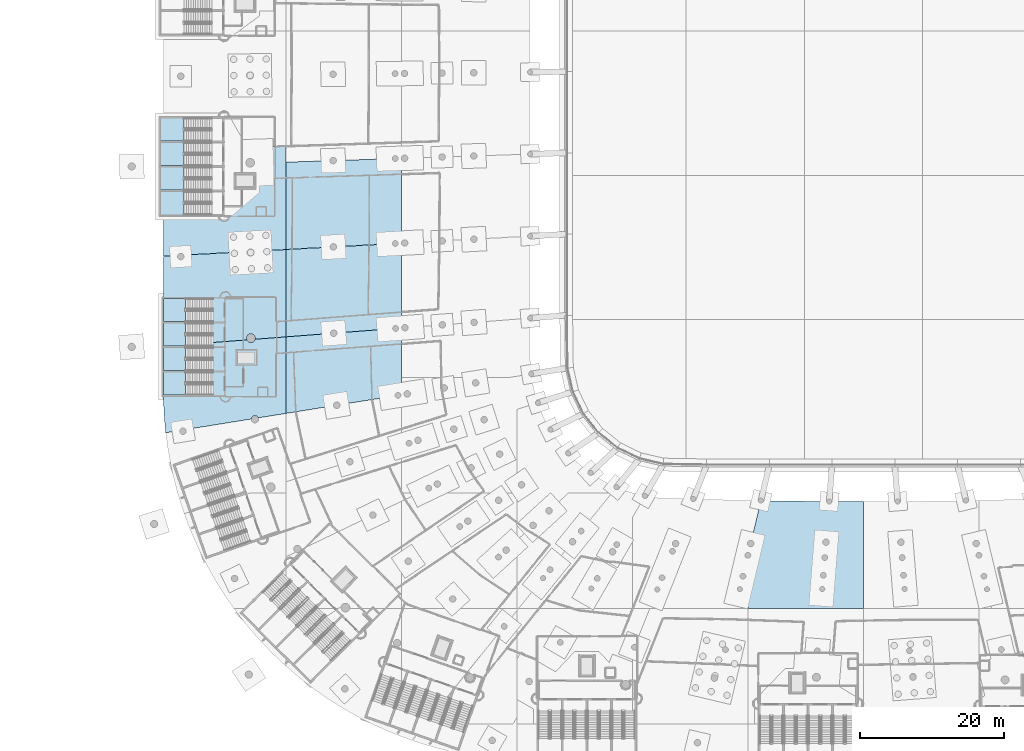
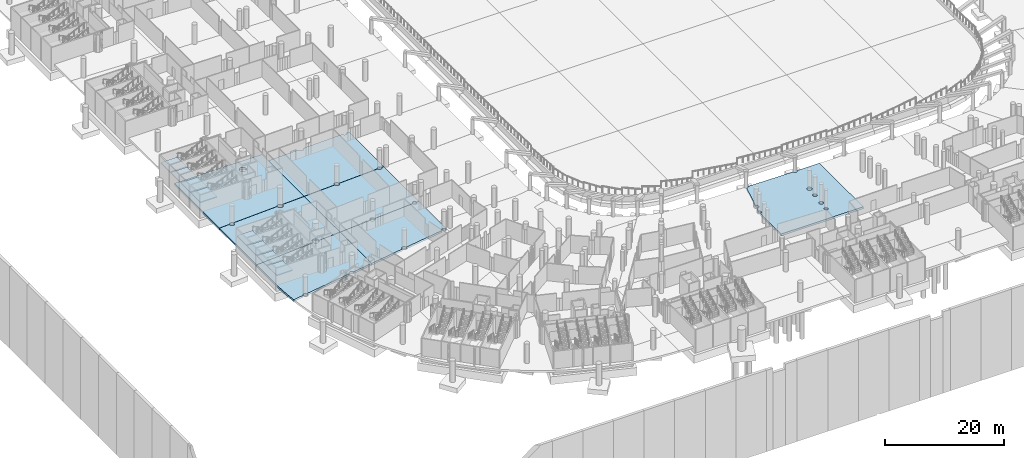
# One storey, part 17 of 142: 15 slabs, 8 elements without a shape of their own.
"""IFC4 building model written with IfcOpenShell, lengths in metres."""

from ifc_helpers import new_model, si_unit, direction, frame, origin, place, context, subcontext, project, spatial, polyline, outline, extrude, material, layer, layer_set, type_object, element, aggregate, save


model = new_model("IFC4")

# Units and contexts
model_context = context("Model", 3, precision=1e-05, world=origin(), true_north=direction((0.0, 1.0)))
body_context = subcontext(model_context, "Body", "Model", "MODEL_VIEW")
ifc_project = project(units=[si_unit("LENGTHUNIT", "METRE"), si_unit("AREAUNIT", "SQUARE_METRE"), si_unit("VOLUMEUNIT", "CUBIC_METRE"), si_unit("PLANEANGLEUNIT", "RADIAN"), si_unit("MASSUNIT", "GRAM", prefix="KILO")], contexts=[model_context])

# Site, building, storey
site_placement = place(None, origin())
site = spatial("IfcSite", under=ifc_project, at=site_placement, CompositionType="ELEMENT")
building_placement = place(site_placement, origin())
building = spatial("IfcBuilding", under=site, at=building_placement, Name="Meseta Stadium", CompositionType="ELEMENT")
storey_placement = place(building_placement, frame((0.0, 0.0, -4.0)))
storey = spatial("IfcBuildingStorey", under=building, at=storey_placement, Name="B1", CompositionType="ELEMENT", Elevation=-4.0)

# Slabs
ifc_material_1 = material(Name="Concrete C30/37", Category="concrete")
ifc_layer_1 = layer(ifc_material_1, 0.39990234375)
ifc_layer_set_1 = layer_set([ifc_layer_1], Name="Base slab 400")
slab_type_1 = type_object("IfcSlabType", Name="Base slab 400", PredefinedType="BASESLAB", material=ifc_layer_set_1)
slab_1_placement = place(storey_placement, frame((0.0, 0.0, -0.39990234375)))
element("IfcSlab", 1, at=slab_1_placement, inside=storey, type_object=slab_type_1, Name="Base slab B1 sector 28 panel 02", PredefinedType="BASESLAB", context=body_context, shape_type="SweptSolid", body=[
    extrude(outline(polyline([(-84.458740234375, -30.49755859375), (-80.0, -30.253173828125), (-80.0, -16.0), (-97.00048828125, -16.0), (-97.00146484375, -31.185302734375), (-95.017578125, -31.076416015625), (-94.97607421875, -30.998779296875), (-94.919677734375, -30.930419921875), (-94.851318359375, -30.8740234375), (-94.77294921875, -30.832275390625), (-94.688232421875, -30.806396484375), (-94.60009765625, -30.7978515625), (-94.51171875, -30.806396484375), (-94.427001953125, -30.832275390625), (-94.348876953125, -30.8740234375), (-94.2802734375, -30.930419921875), (-94.22412109375, -30.998779296875), (-94.206298828125, -31.031982421875), (-85.40771484375, -30.549560546875), (-85.389404296875, -30.489501953125), (-85.343017578125, -30.402587890625), (-85.280517578125, -30.326416015625), (-85.20458984375, -30.263916015625), (-85.11767578125, -30.217529296875), (-85.023193359375, -30.18896484375), (-84.92529296875, -30.17919921875), (-84.827392578125, -30.18896484375), (-84.733154296875, -30.217529296875), (-84.646240234375, -30.263916015625), (-84.570068359375, -30.326416015625), (-84.507568359375, -30.402587890625), (-84.461181640625, -30.489501953125), (-84.458740234375, -30.49755859375)]), holes=[polyline([(-85.53564453125, -18.474365234375), (-85.56982421875, -18.361083984375), (-85.58154296875, -18.24365234375), (-85.56982421875, -18.1259765625), (-85.53564453125, -18.012939453125), (-85.47998046875, -17.90869140625), (-85.40478515625, -17.8173828125), (-85.313720703125, -17.7421875), (-85.209228515625, -17.6865234375), (-85.09619140625, -17.65234375), (-84.978515625, -17.640625), (-84.861083984375, -17.65234375), (-84.747802734375, -17.6865234375), (-84.643798828125, -17.7421875), (-84.55224609375, -17.8173828125), (-84.477294921875, -17.90869140625), (-84.421630859375, -18.012939453125), (-84.38720703125, -18.1259765625), (-84.375732421875, -18.24365234375), (-84.38720703125, -18.361083984375), (-84.421630859375, -18.474365234375), (-84.477294921875, -18.57861328125), (-84.55224609375, -18.669921875), (-84.643798828125, -18.744873046875), (-84.747802734375, -18.800537109375), (-84.861083984375, -18.8349609375), (-84.978515625, -18.846435546875), (-85.09619140625, -18.8349609375), (-85.209228515625, -18.800537109375), (-85.313720703125, -18.744873046875), (-85.40478515625, -18.669921875), (-85.47998046875, -18.57861328125), (-85.53564453125, -18.474365234375)])]), origin(), (0.0, 0.0, 1.0), 0.39990234375),
])
slab_2_placement = place(storey_placement, frame((0.0, 0.0, -0.39990234375)))
element("IfcSlab", 2, at=slab_2_placement, inside=storey, type_object=slab_type_1, Name="Base slab B1 sector 28 panel 12", PredefinedType="BASESLAB", context=body_context, shape_type="SweptSolid", body=[
    extrude(outline(polyline([(-64.018310546875, -29.3623046875), (-64.009521484375, -29.27392578125), (-64.0, -29.2421875), (-64.0, -17.801513671875), (-64.005615234375, -17.791015625), (-64.03125, -17.706298828125), (-64.03857421875, -17.6328125), (-64.486328125, -17.647705078125), (-64.485107421875, -17.660888671875), (-64.492919921875, -17.7392578125), (-64.515625, -17.814697265625), (-64.552978515625, -17.884033203125), (-64.602783203125, -17.945068359375), (-64.663818359375, -17.9951171875), (-64.7333984375, -18.031982421875), (-64.80859375, -18.054931640625), (-64.88720703125, -18.062744140625), (-64.965576171875, -18.054931640625), (-65.041015625, -18.031982421875), (-65.1103515625, -17.9951171875), (-65.17138671875, -17.945068359375), (-65.22119140625, -17.884033203125), (-65.25830078125, -17.814697265625), (-65.28125, -17.7392578125), (-65.28759765625, -17.673828125), (-73.03173828125, -17.9287109375), (-73.0302734375, -17.943603515625), (-73.038818359375, -18.03173828125), (-73.064697265625, -18.116455078125), (-73.1064453125, -18.194580078125), (-73.16259765625, -18.26318359375), (-73.231201171875, -18.319580078125), (-73.309326171875, -18.361328125), (-73.394287109375, -18.386962890625), (-73.482421875, -18.395751953125), (-73.570556640625, -18.386962890625), (-73.655517578125, -18.361328125), (-73.733642578125, -18.319580078125), (-73.80224609375, -18.26318359375), (-73.8583984375, -18.194580078125), (-73.900146484375, -18.116455078125), (-73.92578125, -18.03173828125), (-73.93310546875, -17.958251953125), (-80.0, -18.157958984375), (-80.0, -30.253173828125), (-73.902099609375, -29.918701171875), (-73.9033203125, -29.904052734375), (-73.894775390625, -29.81591796875), (-73.868896484375, -29.731201171875), (-73.8271484375, -29.65283203125), (-73.77099609375, -29.58447265625), (-73.702392578125, -29.5283203125), (-73.624267578125, -29.486328125), (-73.53955078125, -29.460693359375), (-73.451416015625, -29.451904296875), (-73.363037109375, -29.460693359375), (-73.2783203125, -29.486328125), (-73.2001953125, -29.5283203125), (-73.131591796875, -29.58447265625), (-73.0751953125, -29.65283203125), (-73.033447265625, -29.731201171875), (-73.0078125, -29.81591796875), (-73.00244140625, -29.869384765625), (-65.264892578125, -29.4453125), (-65.26611328125, -29.433349609375), (-65.25830078125, -29.35498046875), (-65.235595703125, -29.279541015625), (-65.198486328125, -29.2099609375), (-65.1484375, -29.149169921875), (-65.08740234375, -29.09912109375), (-65.01806640625, -29.06201171875), (-64.942626953125, -29.0390625), (-64.8642578125, -29.031494140625), (-64.78564453125, -29.0390625), (-64.710205078125, -29.06201171875), (-64.640869140625, -29.09912109375), (-64.580078125, -29.149169921875), (-64.530029296875, -29.2099609375), (-64.492919921875, -29.279541015625), (-64.469970703125, -29.35498046875), (-64.46533203125, -29.401611328125), (-64.016845703125, -29.376953125), (-64.018310546875, -29.3623046875)])), origin(), (0.0, 0.0, 1.0), 0.39990234375),
])
slab_3_placement = place(storey_placement, frame((0.0, 0.0, -0.39990234375)))
element("IfcSlab", 3, at=slab_3_placement, inside=storey, type_object=slab_type_1, Name="Base slab B1 sector 35 panel 01", PredefinedType="BASESLAB", context=body_context, shape_type="SweptSolid", body=[
    extrude(outline(polyline([(-83.86669921875, -53.5986328125), (-80.0, -52.975830078125), (-80.0, -42.368408203125), (-84.298583984375, -42.698486328125), (-84.326904296875, -42.792236328125), (-84.3828125, -42.896484375), (-84.457763671875, -42.98779296875), (-84.549072265625, -43.062744140625), (-84.6533203125, -43.118408203125), (-84.766357421875, -43.15283203125), (-84.884033203125, -43.164306640625), (-85.001708984375, -43.15283203125), (-85.11474609375, -43.118408203125), (-85.218994140625, -43.062744140625), (-85.310302734375, -42.98779296875), (-85.38525390625, -42.896484375), (-85.44091796875, -42.792236328125), (-85.44287109375, -42.7861328125), (-97.0029296875, -43.673583984375), (-97.00390625, -49.91259765625), (-96.969970703125, -51.8330078125), (-96.86376953125, -53.750732421875), (-96.685791015625, -55.6630859375), (-94.73681640625, -55.34912109375), (-94.712158203125, -55.268310546875), (-94.67041015625, -55.190185546875), (-94.6142578125, -55.12158203125), (-94.545654296875, -55.0654296875), (-94.467529296875, -55.023681640625), (-94.382568359375, -54.998046875), (-94.29443359375, -54.9892578125), (-94.206298828125, -54.998046875), (-94.121337890625, -55.023681640625), (-94.043212890625, -55.0654296875), (-93.974609375, -55.12158203125), (-93.91845703125, -55.190185546875), (-93.905029296875, -55.21533203125), (-84.82275390625, -53.752685546875), (-84.818115234375, -53.70361328125), (-84.789306640625, -53.609375), (-84.742919921875, -53.5224609375), (-84.680419921875, -53.4462890625), (-84.604248046875, -53.3837890625), (-84.517578125, -53.33740234375), (-84.423095703125, -53.308837890625), (-84.3251953125, -53.299072265625), (-84.227294921875, -53.308837890625), (-84.1328125, -53.33740234375), (-84.046142578125, -53.3837890625), (-83.969970703125, -53.4462890625), (-83.907470703125, -53.5224609375), (-83.86669921875, -53.5986328125)])), origin(), (0.0, 0.0, 1.0), 0.39990234375),
])
slab_4_placement = place(storey_placement, frame((0.0, 0.0, -0.39990234375)))
element("IfcSlab", 4, at=slab_4_placement, inside=storey, type_object=slab_type_1, Name="Base slab B1 sector 35 panel 02", PredefinedType="BASESLAB", context=body_context, shape_type="SweptSolid", body=[
    extrude(outline(polyline([(-84.298583984375, -42.698486328125), (-80.0, -42.368408203125), (-80.0, -30.273193359375), (-84.45263671875, -30.517333984375), (-84.4326171875, -30.583740234375), (-84.4228515625, -30.681640625), (-84.4326171875, -30.77978515625), (-84.461181640625, -30.8740234375), (-84.507568359375, -30.960693359375), (-84.570068359375, -31.037109375), (-84.646240234375, -31.099609375), (-84.733154296875, -31.14599609375), (-84.827392578125, -31.174560546875), (-84.92529296875, -31.18408203125), (-85.023193359375, -31.174560546875), (-85.11767578125, -31.14599609375), (-85.20458984375, -31.099609375), (-85.280517578125, -31.037109375), (-85.343017578125, -30.960693359375), (-85.389404296875, -30.8740234375), (-85.418212890625, -30.77978515625), (-85.427734375, -30.681640625), (-85.418212890625, -30.583740234375), (-85.413818359375, -30.570068359375), (-94.19580078125, -31.051513671875), (-94.18212890625, -31.076904296875), (-94.156494140625, -31.161865234375), (-94.147705078125, -31.25), (-94.156494140625, -31.338134765625), (-94.18212890625, -31.423095703125), (-94.22412109375, -31.501220703125), (-94.2802734375, -31.569580078125), (-94.348876953125, -31.6259765625), (-94.427001953125, -31.667724609375), (-94.51171875, -31.693603515625), (-94.60009765625, -31.7021484375), (-94.688232421875, -31.693603515625), (-94.77294921875, -31.667724609375), (-94.851318359375, -31.6259765625), (-94.919677734375, -31.569580078125), (-94.97607421875, -31.501220703125), (-95.017822265625, -31.423095703125), (-95.04345703125, -31.338134765625), (-95.05224609375, -31.25), (-95.04345703125, -31.161865234375), (-95.023681640625, -31.0966796875), (-97.00146484375, -31.205322265625), (-97.0029296875, -43.673583984375), (-85.44287109375, -42.7861328125), (-85.475341796875, -42.67919921875), (-85.48681640625, -42.5615234375), (-85.475341796875, -42.44384765625), (-85.44091796875, -42.330810546875), (-85.38525390625, -42.2265625), (-85.310302734375, -42.13525390625), (-85.218994140625, -42.060302734375), (-85.11474609375, -42.00439453125), (-85.001708984375, -41.97021484375), (-84.884033203125, -41.95849609375), (-84.766357421875, -41.97021484375), (-84.6533203125, -42.00439453125), (-84.549072265625, -42.060302734375), (-84.457763671875, -42.13525390625), (-84.3828125, -42.2265625), (-84.326904296875, -42.330810546875), (-84.292724609375, -42.44384765625), (-84.281005859375, -42.5615234375), (-84.292724609375, -42.67919921875), (-84.298583984375, -42.698486328125)])), origin(), (0.0, 0.0, 1.0), 0.39990234375),
])
slab_5_placement = place(storey_placement, frame((0.0, 0.0, -0.39990234375)))
element("IfcSlab", 5, at=slab_5_placement, inside=storey, type_object=slab_type_1, Name="Base slab B1 sector 35 panel 08", PredefinedType="BASESLAB", context=body_context, shape_type="SweptSolid", body=[
    extrude(outline(polyline([(-72.672607421875, -51.52734375), (-72.6162109375, -51.595947265625), (-72.574462890625, -51.674072265625), (-72.548583984375, -51.759033203125), (-72.547119140625, -51.775390625), (-64.897216796875, -50.54345703125), (-64.903564453125, -50.479736328125), (-64.895751953125, -50.4013671875), (-64.873046875, -50.325927734375), (-64.835693359375, -50.25634765625), (-64.785888671875, -50.195556640625), (-64.724853515625, -50.1455078125), (-64.655517578125, -50.1083984375), (-64.580078125, -50.08544921875), (-64.501708984375, -50.077880859375), (-64.423095703125, -50.08544921875), (-64.347900390625, -50.1083984375), (-64.2783203125, -50.1455078125), (-64.21728515625, -50.195556640625), (-64.16748046875, -50.25634765625), (-64.13037109375, -50.325927734375), (-64.107421875, -50.4013671875), (-64.10595703125, -50.416015625), (-64.0, -50.39892578125), (-64.0, -41.140380859375), (-64.430908203125, -41.17333984375), (-64.427978515625, -41.2041015625), (-64.435791015625, -41.282470703125), (-64.45849609375, -41.35791015625), (-64.49560546875, -41.427490234375), (-64.545654296875, -41.48828125), (-64.606689453125, -41.5380859375), (-64.676025390625, -41.575439453125), (-64.75146484375, -41.598388671875), (-64.829833984375, -41.60595703125), (-64.908203125, -41.598388671875), (-64.983642578125, -41.575439453125), (-65.05322265625, -41.5380859375), (-65.114013671875, -41.48828125), (-65.1640625, -41.427490234375), (-65.201171875, -41.35791015625), (-65.22412109375, -41.282470703125), (-65.228759765625, -41.234619140625), (-72.955810546875, -41.827880859375), (-72.952392578125, -41.8623046875), (-72.961181640625, -41.950439453125), (-72.98681640625, -42.03515625), (-73.02880859375, -42.11328125), (-73.0849609375, -42.181884765625), (-73.153564453125, -42.23828125), (-73.231689453125, -42.280029296875), (-73.31640625, -42.3056640625), (-73.40478515625, -42.314453125), (-73.492919921875, -42.3056640625), (-73.57763671875, -42.280029296875), (-73.656005859375, -42.23828125), (-73.724365234375, -42.181884765625), (-73.78076171875, -42.11328125), (-73.822509765625, -42.03515625), (-73.84814453125, -41.950439453125), (-73.853515625, -41.896728515625), (-80.0, -42.368408203125), (-80.0, -52.975830078125), (-73.437255859375, -51.9189453125), (-73.4443359375, -51.84716796875), (-73.435791015625, -51.759033203125), (-73.409912109375, -51.674072265625), (-73.3681640625, -51.595947265625), (-73.31201171875, -51.52734375), (-73.243408203125, -51.47119140625), (-73.165283203125, -51.429443359375), (-73.080322265625, -51.40380859375), (-72.9921875, -51.39501953125), (-72.904052734375, -51.40380859375), (-72.819091796875, -51.429443359375), (-72.740966796875, -51.47119140625), (-72.672607421875, -51.52734375)])), origin(), (0.0, 0.0, 1.0), 0.39990234375),
])
slab_6_placement = place(storey_placement, frame((0.0, 0.0, -0.39990234375)))
element("IfcSlab", 6, at=slab_6_placement, inside=storey, type_object=slab_type_1, Name="Base slab B1 sector 35 panel 09", PredefinedType="BASESLAB", context=body_context, shape_type="SweptSolid", body=[
    extrude(outline(polyline([(-73.0849609375, -41.54248046875), (-73.02880859375, -41.611083984375), (-72.98681640625, -41.689208984375), (-72.961181640625, -41.77392578125), (-72.955810546875, -41.827880859375), (-65.228759765625, -41.234619140625), (-65.231689453125, -41.2041015625), (-65.22412109375, -41.12548828125), (-65.201171875, -41.05029296875), (-65.1640625, -40.980712890625), (-65.114013671875, -40.919921875), (-65.05322265625, -40.869873046875), (-64.983642578125, -40.832763671875), (-64.908203125, -40.809814453125), (-64.829833984375, -40.802001953125), (-64.75146484375, -40.809814453125), (-64.676025390625, -40.832763671875), (-64.606689453125, -40.869873046875), (-64.545654296875, -40.919921875), (-64.49560546875, -40.980712890625), (-64.45849609375, -41.05029296875), (-64.435791015625, -41.12548828125), (-64.430908203125, -41.17333984375), (-64.0, -41.140380859375), (-64.0, -29.482177734375), (-64.009521484375, -29.450439453125), (-64.014892578125, -29.396728515625), (-64.46337890625, -29.42138671875), (-64.462158203125, -29.433349609375), (-64.469970703125, -29.51171875), (-64.492919921875, -29.587158203125), (-64.530029296875, -29.656494140625), (-64.580078125, -29.717529296875), (-64.640869140625, -29.767578125), (-64.710205078125, -29.8046875), (-64.78564453125, -29.82763671875), (-64.8642578125, -29.835205078125), (-64.942626953125, -29.82763671875), (-65.01806640625, -29.8046875), (-65.08740234375, -29.767578125), (-65.1484375, -29.717529296875), (-65.198486328125, -29.656494140625), (-65.235595703125, -29.587158203125), (-65.25830078125, -29.51171875), (-65.262939453125, -29.465087890625), (-73.00048828125, -29.889404296875), (-72.9990234375, -29.904052734375), (-73.0078125, -29.9921875), (-73.033447265625, -30.0771484375), (-73.0751953125, -30.1552734375), (-73.131591796875, -30.223876953125), (-73.2001953125, -30.280029296875), (-73.2783203125, -30.322021484375), (-73.363037109375, -30.34765625), (-73.451416015625, -30.356201171875), (-73.53955078125, -30.34765625), (-73.624267578125, -30.322021484375), (-73.702392578125, -30.280029296875), (-73.77099609375, -30.223876953125), (-73.8271484375, -30.1552734375), (-73.868896484375, -30.0771484375), (-73.894775390625, -29.9921875), (-73.89990234375, -29.938720703125), (-80.0, -30.273193359375), (-80.0, -42.368408203125), (-73.853515625, -41.896728515625), (-73.85693359375, -41.8623046875), (-73.84814453125, -41.77392578125), (-73.822509765625, -41.689208984375), (-73.78076171875, -41.611083984375), (-73.724365234375, -41.54248046875), (-73.656005859375, -41.486083984375), (-73.57763671875, -41.4443359375), (-73.492919921875, -41.418701171875), (-73.40478515625, -41.409912109375), (-73.31640625, -41.418701171875), (-73.231689453125, -41.4443359375), (-73.153564453125, -41.486083984375), (-73.0849609375, -41.54248046875)])), origin(), (0.0, 0.0, 1.0), 0.39990234375),
])
slab_7_placement = place(storey_placement, frame((0.0, 0.0, -0.39990234375)))
element("IfcSlab", 7, at=slab_7_placement, inside=storey, type_object=slab_type_1, Name="Base slab B1 sector 42 panel 11", PredefinedType="BASESLAB", context=body_context, shape_type="SweptSolid", body=[
    extrude(outline(polyline([(-14.06982421875, -65.383544921875), (-14.1357421875, -65.403564453125), (-14.204345703125, -65.410400390625), (-14.27294921875, -65.403564453125), (-14.28564453125, -65.399658203125), (-15.5166015625, -70.5703125), (-15.447998046875, -70.591064453125), (-15.369873046875, -70.6328125), (-15.301513671875, -70.689208984375), (-15.2451171875, -70.757568359375), (-15.203369140625, -70.835693359375), (-15.177734375, -70.920654296875), (-15.1689453125, -71.0087890625), (-15.177734375, -71.09716796875), (-15.203369140625, -71.181884765625), (-15.2451171875, -71.260009765625), (-15.301513671875, -71.32861328125), (-15.369873046875, -71.384765625), (-15.447998046875, -71.426513671875), (-15.532958984375, -71.452392578125), (-15.62109375, -71.4609375), (-15.70947265625, -71.452392578125), (-15.7255859375, -71.447509765625), (-15.918212890625, -72.256591796875), (-15.857421875, -72.275146484375), (-15.787841796875, -72.312255859375), (-15.726806640625, -72.3623046875), (-15.677001953125, -72.423095703125), (-15.6396484375, -72.49267578125), (-15.616943359375, -72.568115234375), (-15.609130859375, -72.646484375), (-15.616943359375, -72.724853515625), (-15.6396484375, -72.80029296875), (-15.677001953125, -72.869873046875), (-15.726806640625, -72.9306640625), (-15.787841796875, -72.980712890625), (-15.857421875, -73.017822265625), (-15.9326171875, -73.040771484375), (-16.0, -73.04736328125), (-16.0, -80.0), (0.0, -80.0), (0.0, -65.199951171875), (-1.58203125, -65.1982421875), (-3.16357421875, -65.192626953125), (-4.393310546875, -65.185791015625), (-4.39990234375, -65.252197265625), (-4.419921875, -65.318359375), (-4.452392578125, -65.379150390625), (-4.49609375, -65.432373046875), (-4.54931640625, -65.47607421875), (-4.610107421875, -65.508544921875), (-4.676025390625, -65.528564453125), (-4.74462890625, -65.535400390625), (-4.8134765625, -65.528564453125), (-4.87939453125, -65.508544921875), (-4.940185546875, -65.47607421875), (-4.993408203125, -65.432373046875), (-5.037109375, -65.379150390625), (-5.069580078125, -65.318359375), (-5.089599609375, -65.252197265625), (-5.09619140625, -65.180908203125), (-6.324951171875, -65.171142578125), (-7.904052734375, -65.155029296875), (-9.48193359375, -65.1357421875), (-11.05810546875, -65.113037109375), (-12.632080078125, -65.08740234375), (-13.853515625, -65.06494140625), (-13.859619140625, -65.127197265625), (-13.87939453125, -65.193115234375), (-13.912109375, -65.25390625), (-13.955810546875, -65.307373046875), (-14.009033203125, -65.35107421875), (-14.06982421875, -65.383544921875)]), holes=[polyline([(-5.280517578125, -70.380615234375), (-5.1923828125, -70.371826171875), (-5.104248046875, -70.380615234375), (-5.019287109375, -70.40625), (-4.941162109375, -70.447998046875), (-4.87255859375, -70.50439453125), (-4.81640625, -70.572998046875), (-4.774658203125, -70.65087890625), (-4.748779296875, -70.73583984375), (-4.740234375, -70.82421875), (-4.748779296875, -70.912353515625), (-4.774658203125, -70.9970703125), (-4.81640625, -71.0751953125), (-4.87255859375, -71.143798828125), (-4.941162109375, -71.199951171875), (-5.019287109375, -71.24169921875), (-5.104248046875, -71.267578125), (-5.1923828125, -71.2763671875), (-5.280517578125, -71.267578125), (-5.365478515625, -71.24169921875), (-5.443603515625, -71.199951171875), (-5.51220703125, -71.143798828125), (-5.568359375, -71.0751953125), (-5.610107421875, -70.9970703125), (-5.635986328125, -70.912353515625), (-5.64453125, -70.82421875), (-5.635986328125, -70.73583984375), (-5.610107421875, -70.65087890625), (-5.568359375, -70.572998046875), (-5.51220703125, -70.50439453125), (-5.443603515625, -70.447998046875), (-5.365478515625, -70.40625), (-5.280517578125, -70.380615234375)]), polyline([(-5.440185546875, -72.56494140625), (-5.36181640625, -72.557373046875), (-5.283447265625, -72.56494140625), (-5.2080078125, -72.587890625), (-5.138427734375, -72.625), (-5.07763671875, -72.675048828125), (-5.027587890625, -72.73583984375), (-4.990478515625, -72.805419921875), (-4.967529296875, -72.880859375), (-4.9599609375, -72.959228515625), (-4.967529296875, -73.03759765625), (-4.990478515625, -73.113037109375), (-5.027587890625, -73.1826171875), (-5.07763671875, -73.243408203125), (-5.138427734375, -73.29345703125), (-5.2080078125, -73.33056640625), (-5.283447265625, -73.353515625), (-5.36181640625, -73.361083984375), (-5.440185546875, -73.353515625), (-5.515625, -73.33056640625), (-5.585205078125, -73.29345703125), (-5.64599609375, -73.243408203125), (-5.696044921875, -73.1826171875), (-5.733154296875, -73.113037109375), (-5.756103515625, -73.03759765625), (-5.763916015625, -72.959228515625), (-5.756103515625, -72.880859375), (-5.733154296875, -72.805419921875), (-5.696044921875, -72.73583984375), (-5.64599609375, -72.675048828125), (-5.585205078125, -72.625), (-5.515625, -72.587890625), (-5.440185546875, -72.56494140625)]), polyline([(-5.63525390625, -75.020751953125), (-5.556640625, -75.012939453125), (-5.478271484375, -75.020751953125), (-5.40283203125, -75.043701171875), (-5.33349609375, -75.080810546875), (-5.2724609375, -75.130615234375), (-5.222412109375, -75.191650390625), (-5.185302734375, -75.260986328125), (-5.16259765625, -75.33642578125), (-5.15478515625, -75.414794921875), (-5.16259765625, -75.493408203125), (-5.185302734375, -75.568603515625), (-5.222412109375, -75.63818359375), (-5.2724609375, -75.69921875), (-5.33349609375, -75.7490234375), (-5.40283203125, -75.786376953125), (-5.478271484375, -75.80908203125), (-5.556640625, -75.81689453125), (-5.63525390625, -75.80908203125), (-5.710693359375, -75.786376953125), (-5.780029296875, -75.7490234375), (-5.841064453125, -75.69921875), (-5.890869140625, -75.63818359375), (-5.927978515625, -75.568603515625), (-5.950927734375, -75.493408203125), (-5.958740234375, -75.414794921875), (-5.950927734375, -75.33642578125), (-5.927978515625, -75.260986328125), (-5.890869140625, -75.191650390625), (-5.841064453125, -75.130615234375), (-5.780029296875, -75.080810546875), (-5.710693359375, -75.043701171875), (-5.63525390625, -75.020751953125)]), polyline([(-5.775390625, -76.958740234375), (-5.70654296875, -76.951904296875), (-5.637939453125, -76.958740234375), (-5.572021484375, -76.978759765625), (-5.51123046875, -77.01123046875), (-5.4580078125, -77.054931640625), (-5.414306640625, -77.1083984375), (-5.381591796875, -77.169189453125), (-5.36181640625, -77.235107421875), (-5.35498046875, -77.3037109375), (-5.36181640625, -77.372314453125), (-5.381591796875, -77.438232421875), (-5.414306640625, -77.4990234375), (-5.4580078125, -77.552490234375), (-5.51123046875, -77.59619140625), (-5.572021484375, -77.628662109375), (-5.637939453125, -77.648681640625), (-5.70654296875, -77.655517578125), (-5.775390625, -77.648681640625), (-5.84130859375, -77.628662109375), (-5.902099609375, -77.59619140625), (-5.955322265625, -77.552490234375), (-5.9990234375, -77.4990234375), (-6.031494140625, -77.438232421875), (-6.051513671875, -77.372314453125), (-6.058349609375, -77.3037109375), (-6.051513671875, -77.235107421875), (-6.031494140625, -77.169189453125), (-5.9990234375, -77.1083984375), (-5.955322265625, -77.054931640625), (-5.902099609375, -77.01123046875), (-5.84130859375, -76.978759765625), (-5.775390625, -76.958740234375)])]), origin(), (0.0, 0.0, 1.0), 0.39990234375),
])

# Stair, slab
ifc_material_2 = material(Name="Concrete C40/50", Category="concrete")
stair_type = type_object("IfcStairType", Name="Exit stair 2 flights 154 mm risers", PredefinedType="HALF_TURN_STAIR", material=ifc_material_2)
stair_1_placement = place(storey_placement, origin())
stair_1 = element("IfcStair", 8, at=stair_1_placement, inside=storey, type_object=stair_type, Name="ST69 B1", PredefinedType="HALF_TURN_STAIR")
ifc_material_3 = material(Name="Concrete C40/50", Category="concrete")
ifc_layer_2 = layer(ifc_material_3, 0.199951171875)
ifc_layer_set_2 = layer_set([ifc_layer_2], Name="Stair landing 200")
slab_type_2 = type_object("IfcSlabType", Name="Stair landing 200", PredefinedType="LANDING", material=ifc_layer_set_2)
slab_8_placement = place(storey_placement, frame((0.0, 0.0, 1.800048828125)))
slab_8 = element("IfcSlab", 9, at=slab_8_placement, type_object=slab_type_2, Name="ST69 B1 landing 1", PredefinedType="LANDING", context=body_context, shape_type="SweptSolid", body=[
    extrude(outline(polyline([(-94.1298828125, -12.050048828125), (-97.39990234375, -12.050048828125), (-97.39990234375, -15.25), (-94.1298828125, -15.25), (-94.1298828125, -12.050048828125)])), origin(), (0.0, 0.0, 1.0), 0.199951171875),
])
aggregate(stair_1, [slab_8])

stair_2_placement = place(storey_placement, origin())
stair_2 = element("IfcStair", 10, at=stair_2_placement, inside=storey, type_object=stair_type, Name="ST70 B1", PredefinedType="HALF_TURN_STAIR")
slab_9_placement = place(storey_placement, frame((0.0, 0.0, 1.800048828125)))
slab_9 = element("IfcSlab", 11, at=slab_9_placement, type_object=slab_type_2, Name="ST70 B1 landing 1", PredefinedType="LANDING", context=body_context, shape_type="SweptSolid", body=[
    extrude(outline(polyline([(-94.1298828125, -15.449951171875), (-97.39990234375, -15.449951171875), (-97.39990234375, -18.64990234375), (-94.1298828125, -18.64990234375), (-94.1298828125, -15.449951171875)])), origin(), (0.0, 0.0, 1.0), 0.199951171875),
])
aggregate(stair_2, [slab_9])

stair_3_placement = place(storey_placement, origin())
stair_3 = element("IfcStair", 12, at=stair_3_placement, inside=storey, type_object=stair_type, Name="ST71 B1", PredefinedType="HALF_TURN_STAIR")
slab_10_placement = place(storey_placement, frame((0.0, 0.0, 1.800048828125)))
slab_10 = element("IfcSlab", 13, at=slab_10_placement, type_object=slab_type_2, Name="ST71 B1 landing 1", PredefinedType="LANDING", context=body_context, shape_type="SweptSolid", body=[
    extrude(outline(polyline([(-94.1298828125, -18.85009765625), (-97.39990234375, -18.85009765625), (-97.39990234375, -22.050048828125), (-94.1298828125, -22.050048828125), (-94.1298828125, -18.85009765625)])), origin(), (0.0, 0.0, 1.0), 0.199951171875),
])
aggregate(stair_3, [slab_10])

stair_4_placement = place(storey_placement, origin())
stair_4 = element("IfcStair", 14, at=stair_4_placement, inside=storey, type_object=stair_type, Name="ST72 B1", PredefinedType="HALF_TURN_STAIR")
slab_11_placement = place(storey_placement, frame((0.0, 0.0, 1.800048828125)))
slab_11 = element("IfcSlab", 15, at=slab_11_placement, type_object=slab_type_2, Name="ST72 B1 landing 1", PredefinedType="LANDING", context=body_context, shape_type="SweptSolid", body=[
    extrude(outline(polyline([(-94.1298828125, -22.25), (-97.39990234375, -22.25), (-97.39990234375, -25.449951171875), (-94.1298828125, -25.449951171875), (-94.1298828125, -22.25)])), origin(), (0.0, 0.0, 1.0), 0.199951171875),
])
aggregate(stair_4, [slab_11])

stair_5_placement = place(storey_placement, origin())
stair_5 = element("IfcStair", 16, at=stair_5_placement, inside=storey, type_object=stair_type, Name="ST73 B1", PredefinedType="HALF_TURN_STAIR")
slab_12_placement = place(storey_placement, frame((0.0, 0.0, 1.800048828125)))
slab_12 = element("IfcSlab", 17, at=slab_12_placement, type_object=slab_type_2, Name="ST73 B1 landing 1", PredefinedType="LANDING", context=body_context, shape_type="SweptSolid", body=[
    extrude(outline(polyline([(-93.929931640625, -37.050048828125), (-97.0, -37.050048828125), (-97.0, -40.25), (-93.929931640625, -40.25), (-93.929931640625, -37.050048828125)])), origin(), (0.0, 0.0, 1.0), 0.199951171875),
])
aggregate(stair_5, [slab_12])

stair_6_placement = place(storey_placement, origin())
stair_6 = element("IfcStair", 18, at=stair_6_placement, inside=storey, type_object=stair_type, Name="ST74 B1", PredefinedType="HALF_TURN_STAIR")
slab_13_placement = place(storey_placement, frame((0.0, 0.0, 1.800048828125)))
slab_13 = element("IfcSlab", 19, at=slab_13_placement, type_object=slab_type_2, Name="ST74 B1 landing 1", PredefinedType="LANDING", context=body_context, shape_type="SweptSolid", body=[
    extrude(outline(polyline([(-93.929931640625, -40.449951171875), (-97.0, -40.449951171875), (-97.0, -43.64990234375), (-93.929931640625, -43.64990234375), (-93.929931640625, -40.449951171875)])), origin(), (0.0, 0.0, 1.0), 0.199951171875),
])
aggregate(stair_6, [slab_13])

stair_7_placement = place(storey_placement, origin())
stair_7 = element("IfcStair", 20, at=stair_7_placement, inside=storey, type_object=stair_type, Name="ST75 B1", PredefinedType="HALF_TURN_STAIR")
slab_14_placement = place(storey_placement, frame((0.0, 0.0, 1.800048828125)))
slab_14 = element("IfcSlab", 21, at=slab_14_placement, type_object=slab_type_2, Name="ST75 B1 landing 1", PredefinedType="LANDING", context=body_context, shape_type="SweptSolid", body=[
    extrude(outline(polyline([(-93.929931640625, -43.85009765625), (-97.0, -43.85009765625), (-97.0, -47.050048828125), (-93.929931640625, -47.050048828125), (-93.929931640625, -43.85009765625)])), origin(), (0.0, 0.0, 1.0), 0.199951171875),
])
aggregate(stair_7, [slab_14])

stair_8_placement = place(storey_placement, origin())
stair_8 = element("IfcStair", 22, at=stair_8_placement, inside=storey, type_object=stair_type, Name="ST76 B1", PredefinedType="HALF_TURN_STAIR")
slab_15_placement = place(storey_placement, frame((0.0, 0.0, 1.800048828125)))
slab_15 = element("IfcSlab", 23, at=slab_15_placement, type_object=slab_type_2, Name="ST76 B1 landing 1", PredefinedType="LANDING", context=body_context, shape_type="SweptSolid", body=[
    extrude(outline(polyline([(-93.929931640625, -47.25), (-97.0, -47.25), (-97.0, -50.449951171875), (-93.929931640625, -50.449951171875), (-93.929931640625, -47.25)])), origin(), (0.0, 0.0, 1.0), 0.199951171875),
])
aggregate(stair_8, [slab_15])

save(model, "model.ifc")
